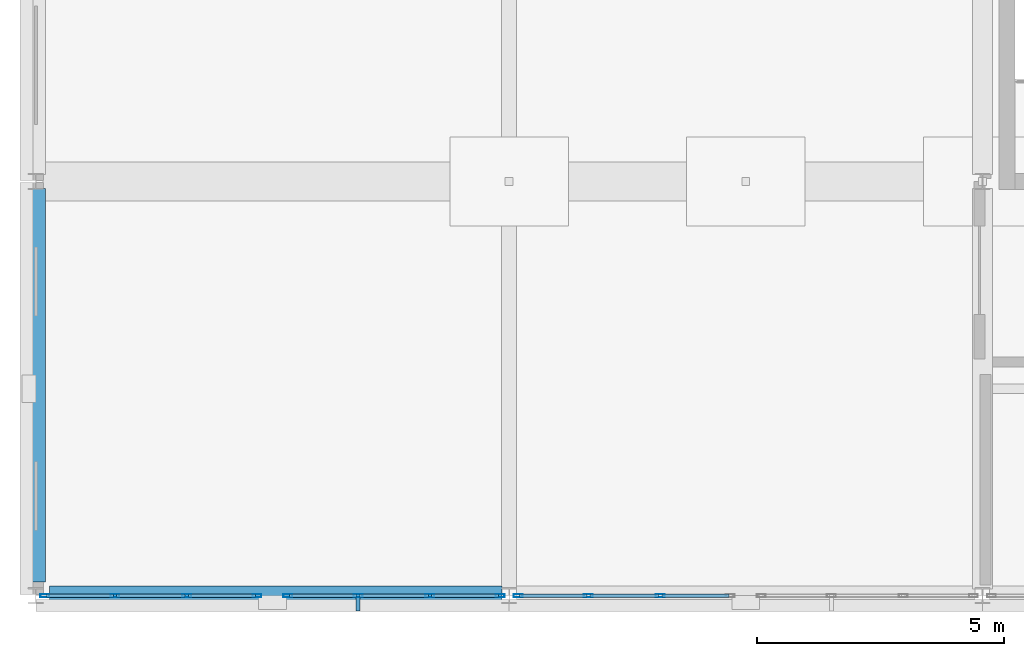
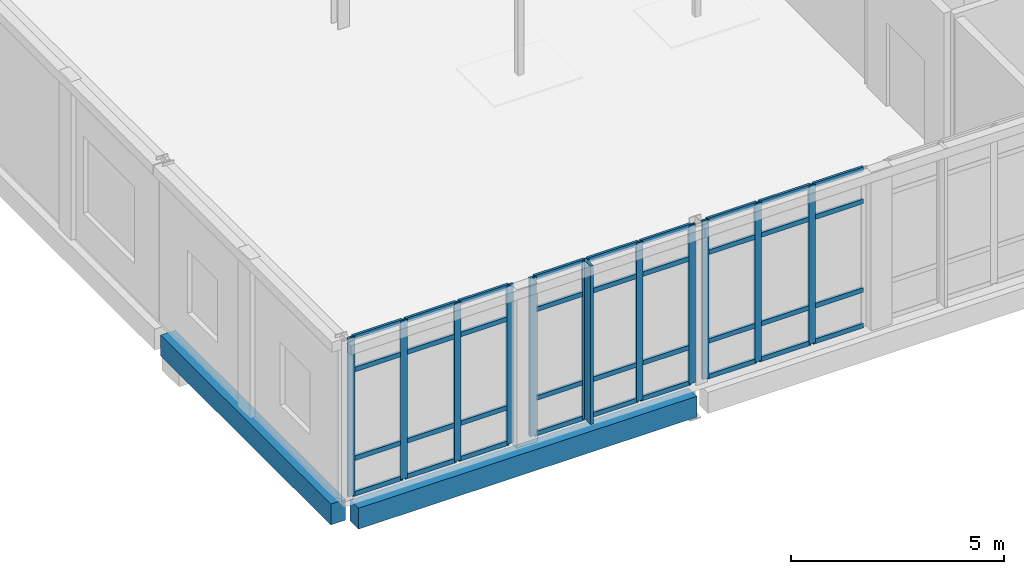
# One storey, part 7 of 88: 48 members, 2 beams, 3 elements without a shape of their own.
"""IFC4 building model written with IfcOpenShell, lengths in metres."""

import ifcopenshell
import ifcopenshell.guid

model = None  # the IFC model being written
_history = None  # IfcOwnerHistory: only IFC2X3 demands one
_inside = {}  # id of a spatial element -> (the spatial element, [elements in it])
_under = {}  # id of a project, library or spatial element -> (it, [spatial elements below it])
_declared = {}  # id of a project -> (the project, [libraries it declares])
_typed = {}  # id of a type object -> (the type object, [elements of that type])
_made_of = {}  # id of a material, layer set ... -> (it, [elements and type objects made of it])


def new_model(schema):
    """Start an empty IFC model of exactly this schema.

    Asked for "IFC4X3", IfcOpenShell would pick the latest addendum, in which some entities
    have other attributes; the version numbers below select the first issue.
    IFC2X3 requires an IfcOwnerHistory on every rooted entity: one is made here for all.
    """
    global model, _history
    if schema == "IFC4X3":
        model = ifcopenshell.file(schema_version=(4, 3, 0, 0))
    else:
        model = ifcopenshell.file(schema=schema)
    _inside.clear()
    _under.clear()
    _declared.clear()
    _typed.clear()
    _made_of.clear()
    _history = None
    if model.schema == "IFC2X3":
        org = make("IfcOrganization", Name="unknown")
        user = make(
            "IfcPersonAndOrganization",
            ThePerson=make("IfcPerson", FamilyName="unknown"),
            TheOrganization=org,
        )
        app = make(
            "IfcApplication",
            ApplicationDeveloper=org,
            Version="unknown",
            ApplicationFullName="unknown",
            ApplicationIdentifier="unknown",
        )
        _history = make(
            "IfcOwnerHistory",
            OwningUser=user,
            OwningApplication=app,
            ChangeAction="ADDED",
            CreationDate=0,
        )
    return model


def make(cls, **values):
    """One entity of the class cls with the attributes given. An attribute that is None is left unset."""
    return model.create_entity(
        cls, **{name: value for name, value in values.items() if value is not None}
    )


def rooted(cls, **values):
    """An entity with a GlobalId (a new one), such as an element, a storey or a relation."""
    return make(cls, GlobalId=ifcopenshell.guid.new(), OwnerHistory=_history, **values)


def si_unit(unit_type, name, prefix=None):
    """IfcSIUnit, for example si_unit("LENGTHUNIT", "METRE", prefix="MILLI")."""
    return make("IfcSIUnit", UnitType=unit_type, Prefix=prefix, Name=name)


def assignment(units):
    """IfcUnitAssignment: the units of a project."""
    return None if units is None else make("IfcUnitAssignment", Units=units)


def point(xyz):
    """IfcCartesianPoint."""
    return None if xyz is None else make("IfcCartesianPoint", Coordinates=xyz)


def direction(xyz):
    """IfcDirection."""
    return None if xyz is None else make("IfcDirection", DirectionRatios=xyz)


def frame(location, z_axis=None, x_axis=None):
    """IfcAxis2Placement3D, a coordinate frame: its origin and axes. An axis left out is left unset."""
    return make(
        "IfcAxis2Placement3D",
        Location=point(location),
        Axis=direction(z_axis),
        RefDirection=direction(x_axis),
    )


def frame_2d(location, x_axis=None):
    """IfcAxis2Placement2D, a coordinate frame in the plane: its origin and x axis."""
    return make(
        "IfcAxis2Placement2D", Location=point(location), RefDirection=direction(x_axis)
    )


def origin():
    """The frame at (0, 0, 0) with its axes left unset."""
    return frame((0.0, 0.0, 0.0))


def origin_2d():
    """The frame at (0, 0) in the plane with its x axis left unset."""
    return frame_2d((0.0, 0.0))


def place(relative_to, where):
    """IfcLocalPlacement: puts the frame where relative to a parent placement (None: the world)."""
    return make(
        "IfcLocalPlacement", PlacementRelTo=relative_to, RelativePlacement=where
    )


def context(
    kind, dimensions, precision=None, world=None, true_north=None, identifier=None
):
    """IfcGeometricRepresentationContext, for example the 3D "Model" context."""
    return make(
        "IfcGeometricRepresentationContext",
        ContextIdentifier=identifier,
        ContextType=kind,
        CoordinateSpaceDimension=dimensions,
        Precision=precision,
        WorldCoordinateSystem=world,
        TrueNorth=true_north,
    )


def subcontext(parent, identifier, kind, view, scale=None):
    """IfcGeometricRepresentationSubContext, for example "Body" below "Model"."""
    return make(
        "IfcGeometricRepresentationSubContext",
        ContextIdentifier=identifier,
        ContextType=kind,
        ParentContext=parent,
        TargetScale=scale,
        TargetView=view,
    )


def project(units=None, contexts=None):
    """IfcProject with its units and contexts."""
    return rooted(
        "IfcProject",
        Name="project",
        RepresentationContexts=contexts,
        UnitsInContext=assignment(units),
    )


def spatial(cls, under=None, at=None, **own):
    """A site, building, storey or space (cls), placed at a placement, below another one or the project."""
    s = rooted(cls, ObjectPlacement=at, **own)
    if under is not None:
        _under.setdefault(under.id(), (under, []))[1].append(s)
    return s


def profile(cls, at=None, kind="AREA", **sizes):
    """A parametric profile (cls). Its sizes go by their IFC names, for example OverallWidth=200.0."""
    return make(cls, ProfileType=kind, Position=at, **sizes)


def rectangle(**sizes):
    """IfcRectangleProfileDef."""
    return profile("IfcRectangleProfileDef", **sizes)


def hollow_rectangle(**sizes):
    """IfcRectangleHollowProfileDef."""
    return profile("IfcRectangleHollowProfileDef", **sizes)


def extrude(swept, where, along, depth):
    """IfcExtrudedAreaSolid: the profile swept, set in the frame where, extruded along a direction by depth."""
    return make(
        "IfcExtrudedAreaSolid",
        SweptArea=swept,
        Position=where,
        ExtrudedDirection=direction(along),
        Depth=depth,
    )


def shape(context_of_items, identifier, shape_type, items):
    """IfcShapeRepresentation: the items that make up one representation, for example the "Body"."""
    return make(
        "IfcShapeRepresentation",
        ContextOfItems=context_of_items,
        RepresentationIdentifier=identifier,
        RepresentationType=shape_type,
        Items=items,
    )


def material(Name=None, Category=None):
    """IfcMaterial."""
    return make("IfcMaterial", Name=Name, Category=Category)


def layer(
    of_material, thickness, ventilated=None, Name=None, Category=None, Priority=None
):
    """IfcMaterialLayer: one layer of a wall or slab, of a material (None: an air gap)."""
    return make(
        "IfcMaterialLayer",
        Material=of_material,
        LayerThickness=thickness,
        IsVentilated=ventilated,
        Name=Name,
        Category=Category,
        Priority=Priority,
    )


def layer_set(layers, Name=None):
    """IfcMaterialLayerSet."""
    return make("IfcMaterialLayerSet", MaterialLayers=layers, LayerSetName=Name)


def material_profile(
    of_material, cross_section, Name=None, Category=None, Priority=None
):
    """IfcMaterialProfile: a cross section and its material."""
    return make(
        "IfcMaterialProfile",
        Name=Name,
        Material=of_material,
        Profile=cross_section,
        Priority=Priority,
        Category=Category,
    )


def profile_set(profiles, Name=None, composite=None):
    """IfcMaterialProfileSet."""
    return make(
        "IfcMaterialProfileSet",
        Name=Name,
        MaterialProfiles=profiles,
        CompositeProfile=composite,
    )


def made_of(thing, what):
    """Note that an element or type object is made of a material, layer set ...; save() writes the relation."""
    if what is not None:
        _made_of.setdefault(what.id(), (what, []))[1].append(thing)
    return thing


def type_object(cls, material=None, **own):
    """A type object (cls), such as IfcWallType, which elements share."""
    return made_of(rooted(cls, **own), material)


def element(
    cls,
    number,
    at=None,
    inside=None,
    cuts=None,
    type_object=None,
    material=None,
    context=None,
    identifier="Body",
    shape_type=None,
    held_by="IfcProductDefinitionShape",
    body=None,
    shapes=None,
    **own,
):
    """One element of the class cls, such as IfcWall. Its Tag is "e" and its number.

    at: its placement. inside: the storey or other place that contains it. cuts: it is an
    opening in that element (IfcRelVoidsElement). A single representation is given by context,
    identifier, shape_type and body (its items); several are given by shapes. held_by: the class
    of the entity that holds the representations. save() writes the other relations.
    """
    e = rooted(cls, Tag="e%d" % number, ObjectPlacement=at, **own)
    if body is not None:
        shapes = [shape(context, identifier, shape_type, body)]
    if shapes is not None:
        e.Representation = make(held_by, Representations=shapes)
    if inside is not None:
        _inside.setdefault(inside.id(), (inside, []))[1].append(e)
    if cuts is not None:
        rooted(
            "IfcRelVoidsElement", RelatingBuildingElement=cuts, RelatedOpeningElement=e
        )
    if type_object is not None:
        _typed.setdefault(type_object.id(), (type_object, []))[1].append(e)
    return made_of(e, material)


def aggregate(whole, parts):
    """IfcRelAggregates: a whole, such as a stair, and the parts it consists of."""
    return rooted("IfcRelAggregates", RelatingObject=whole, RelatedObjects=parts)


def save(model, path):
    """Write the relations noted so far, then the file.

    IfcRelAggregates (storeys below a building ...), IfcRelContainedInSpatialStructure (elements
    in a storey), IfcRelDefinesByType, IfcRelAssociatesMaterial and IfcRelDeclares: one each for
    every whole, place, type object, material and project.
    """
    for whole, parts in _under.values():
        aggregate(whole, parts)
    for where, things in _inside.values():
        rooted(
            "IfcRelContainedInSpatialStructure",
            RelatedElements=things,
            RelatingStructure=where,
        )
    for kind, things in _typed.values():
        rooted("IfcRelDefinesByType", RelatedObjects=things, RelatingType=kind)
    for what, things in _made_of.values():
        rooted("IfcRelAssociatesMaterial", RelatedObjects=things, RelatingMaterial=what)
    for by, libraries in _declared.values():
        rooted("IfcRelDeclares", RelatingContext=by, RelatedDefinitions=libraries)
    model.write(path)


model = new_model("IFC4")

# Units and contexts
model_context = context("Model", 3, precision=1e-05, world=origin(), true_north=direction((0.0, 1.0)))
body_context = subcontext(model_context, "Body", "Model", "MODEL_VIEW")
ifc_project = project(units=[si_unit("LENGTHUNIT", "METRE"), si_unit("AREAUNIT", "SQUARE_METRE"), si_unit("VOLUMEUNIT", "CUBIC_METRE"), si_unit("PLANEANGLEUNIT", "RADIAN"), si_unit("MASSUNIT", "GRAM", prefix="KILO")], contexts=[model_context])

# Site, building, storey
site_placement = place(None, origin())
site = spatial("IfcSite", under=ifc_project, at=site_placement, CompositionType="ELEMENT")
building_placement = place(site_placement, origin())
building = spatial("IfcBuilding", under=site, at=building_placement, Name="Lornevale Opera House", CompositionType="ELEMENT")
storey_placement = place(building_placement, frame((0.0, 0.0, 10.199951171875)))
storey = spatial("IfcBuildingStorey", under=building, at=storey_placement, Name="L03", CompositionType="ELEMENT", Elevation=10.199951171875)

# Beams
ifc_material_1 = material(Name="Concrete 35 MPa (CSA A23.1 N)", Category="concrete")
ifc_material_profile_1 = material_profile(ifc_material_1, rectangle(XDim=0.39990234375, YDim=0.60009765625, at=origin_2d()), Name="RC400x600")
ifc_profile_set_1 = profile_set([ifc_material_profile_1], Name="Concrete 35 MPa (CSA A23.1 N)")
beam_type = type_object("IfcBeamType", Name="Concrete Spandrel Beam 400x600", PredefinedType="SPANDREL", material=ifc_profile_set_1)
beam_1_placement = place(storey_placement, frame((0.27490234375, 0.0, -0.579833984375), z_axis=(1.0, 0.0, 0.0), x_axis=(0.0, 1.0, 0.0)))
element("IfcBeam", 1, at=beam_1_placement, inside=storey, type_object=beam_type, Name="Concrete Spandrel Beam 400x600 2082", PredefinedType="SPANDREL", context=body_context, shape_type="SweptSolid", body=[
    extrude(rectangle(XDim=0.39990234375, YDim=0.60009765625, at=origin_2d()), origin(), (0.0, 0.0, 1.0), 9.177978515625),
])
beam_2_placement = place(storey_placement, frame((0.0, 0.27490234375, -0.579833984375), z_axis=(0.0, 1.0, 0.0), x_axis=(-1.0, 0.0, 0.0)))
element("IfcBeam", 2, at=beam_2_placement, inside=storey, type_object=beam_type, Name="Concrete Spandrel Beam 400x600 2226", PredefinedType="SPANDREL", context=body_context, shape_type="SweptSolid", body=[
    extrude(rectangle(XDim=0.39990234375, YDim=0.60009765625, at=origin_2d()), origin(), (0.0, 0.0, 1.0), 7.987548828125),
])

# Curtain wall, members
ifc_material_2 = material(Name="Anodized Oxide-Green Aluminium Framing", Category="aluminium")
ifc_layer = layer(ifc_material_2, 0.175048828125)
ifc_layer_set = layer_set([ifc_layer], Name="Anodized Oxide-Green Aluminium Framing")
curtain_wall_type = type_object("IfcCurtainWallType", Name="Chamber Cloister Curtain Wall M1700", PredefinedType="NOTDEFINED", material=ifc_layer_set)
curtain_wall_1_placement = place(storey_placement, origin())
curtain_wall_1 = element("IfcCurtainWall", 3, at=curtain_wall_1_placement, inside=storey, type_object=curtain_wall_type, Name="Chamber Cloister Curtain Wall M1700 CW-092", PredefinedType="NOTDEFINED")
ifc_material_profile_2 = material_profile(ifc_material_2, hollow_rectangle(XDim=0.06494140625, YDim=0.179931640625, WallThickness=0.0048828125, at=origin_2d()), Name="ALU65x180x5")
ifc_profile_set_2 = profile_set([ifc_material_profile_2], Name="Anodized Oxide-Green Aluminium Framing")
member_type_1 = type_object("IfcMemberType", Name="Curtain Wall Mullion 65x180", PredefinedType="MULLION", material=ifc_profile_set_2)
member_1_placement = place(storey_placement, frame((9.4169921875, 0.0, 0.0), z_axis=(0.0, 0.0, 1.0), x_axis=(0.0, -1.0, 0.0)))
member_1 = element("IfcMember", 4, at=member_1_placement, type_object=member_type_1, Name="Curtain Wall Mullion 65x180 CW1820", PredefinedType="MULLION", context=body_context, shape_type="SweptSolid", body=[
    extrude(hollow_rectangle(XDim=0.06494140625, YDim=0.179931640625, WallThickness=0.0048828125, at=origin_2d()), origin(), (0.0, 0.0, 1.0), 4.5400390625),
])
member_2_placement = place(storey_placement, frame((7.992919921875, 0.0, 0.0), z_axis=(0.0, 0.0, 1.0), x_axis=(0.0, -1.0, 0.0)))
member_2 = element("IfcMember", 5, at=member_2_placement, type_object=member_type_1, Name="Curtain Wall Mullion 65x180 CW1821", PredefinedType="MULLION", context=body_context, shape_type="SweptSolid", body=[
    extrude(hollow_rectangle(XDim=0.06494140625, YDim=0.179931640625, WallThickness=0.0048828125, at=origin_2d()), origin(), (0.0, 0.0, 1.0), 4.5400390625),
])
member_3_placement = place(storey_placement, frame((6.53662109375, 0.0, 0.0), z_axis=(0.0, 0.0, 1.0), x_axis=(0.0, -1.0, 0.0)))
member_3 = element("IfcMember", 6, at=member_3_placement, type_object=member_type_1, Name="Curtain Wall Mullion 65x180 CW1822", PredefinedType="MULLION", context=body_context, shape_type="SweptSolid", body=[
    extrude(hollow_rectangle(XDim=0.06494140625, YDim=0.179931640625, WallThickness=0.0048828125, at=origin_2d()), origin(), (0.0, 0.0, 1.0), 4.5400390625),
])
member_4_placement = place(storey_placement, frame((5.112548828125, 0.0, 0.0), z_axis=(0.0, 0.0, 1.0), x_axis=(0.0, -1.0, 0.0)))
member_4 = element("IfcMember", 7, at=member_4_placement, type_object=member_type_1, Name="Curtain Wall Mullion 65x180 CW1823", PredefinedType="MULLION", context=body_context, shape_type="SweptSolid", body=[
    extrude(hollow_rectangle(XDim=0.06494140625, YDim=0.179931640625, WallThickness=0.0048828125, at=origin_2d()), origin(), (0.0, 0.0, 1.0), 4.5400390625),
])

curtain_wall_2_placement = place(storey_placement, origin())
curtain_wall_2 = element("IfcCurtainWall", 8, at=curtain_wall_2_placement, inside=storey, type_object=curtain_wall_type, Name="Chamber Cloister Curtain Wall M1700 CW-093", PredefinedType="NOTDEFINED")
member_5_placement = place(storey_placement, frame((4.487548828125, 0.0, 0.0), z_axis=(0.0, 0.0, 1.0), x_axis=(0.0, -1.0, 0.0)))
member_5 = element("IfcMember", 9, at=member_5_placement, type_object=member_type_1, Name="Curtain Wall Mullion 65x180 CW1845", PredefinedType="MULLION", context=body_context, shape_type="SweptSolid", body=[
    extrude(hollow_rectangle(XDim=0.06494140625, YDim=0.179931640625, WallThickness=0.0048828125, at=origin_2d()), origin(), (0.0, 0.0, 1.0), 4.5400390625),
])
member_6_placement = place(storey_placement, frame((3.0634765625, 0.0, 0.0), z_axis=(0.0, 0.0, 1.0), x_axis=(0.0, -1.0, 0.0)))
member_6 = element("IfcMember", 10, at=member_6_placement, type_object=member_type_1, Name="Curtain Wall Mullion 65x180 CW1846", PredefinedType="MULLION", context=body_context, shape_type="SweptSolid", body=[
    extrude(hollow_rectangle(XDim=0.06494140625, YDim=0.179931640625, WallThickness=0.0048828125, at=origin_2d()), origin(), (0.0, 0.0, 1.0), 4.5400390625),
])
member_7_placement = place(storey_placement, frame((1.60693359375, 0.0, 0.0), z_axis=(0.0, 0.0, 1.0), x_axis=(0.0, -1.0, 0.0)))
member_7 = element("IfcMember", 11, at=member_7_placement, type_object=member_type_1, Name="Curtain Wall Mullion 65x180 CW1847", PredefinedType="MULLION", context=body_context, shape_type="SweptSolid", body=[
    extrude(hollow_rectangle(XDim=0.06494140625, YDim=0.179931640625, WallThickness=0.0048828125, at=origin_2d()), origin(), (0.0, 0.0, 1.0), 4.5400390625),
])
member_8_placement = place(storey_placement, frame((0.18310546875, 0.0, 0.0), z_axis=(0.0, 0.0, 1.0), x_axis=(0.0, -1.0, 0.0)))
member_8 = element("IfcMember", 12, at=member_8_placement, type_object=member_type_1, Name="Curtain Wall Mullion 65x180 CW1848", PredefinedType="MULLION", context=body_context, shape_type="SweptSolid", body=[
    extrude(hollow_rectangle(XDim=0.06494140625, YDim=0.179931640625, WallThickness=0.0048828125, at=origin_2d()), origin(), (0.0, 0.0, 1.0), 4.5400390625),
])

curtain_wall_3_placement = place(storey_placement, origin())
curtain_wall_3 = element("IfcCurtainWall", 13, at=curtain_wall_3_placement, inside=storey, type_object=curtain_wall_type, Name="Chamber Cloister Curtain Wall M1700 CW-101", PredefinedType="NOTDEFINED")
member_9_placement = place(storey_placement, frame((12.66357421875, 0.0, 0.0), z_axis=(0.0, 0.0, 1.0), x_axis=(0.0, -1.0, 0.0)))
member_9 = element("IfcMember", 14, at=member_9_placement, type_object=member_type_1, Name="Curtain Wall Mullion 65x180 CW2046", PredefinedType="MULLION", context=body_context, shape_type="SweptSolid", body=[
    extrude(hollow_rectangle(XDim=0.06494140625, YDim=0.179931640625, WallThickness=0.0048828125, at=origin_2d()), origin(), (0.0, 0.0, 1.0), 4.5400390625),
])
member_10_placement = place(storey_placement, frame((11.20703125, 0.0, 0.0), z_axis=(0.0, 0.0, 1.0), x_axis=(0.0, -1.0, 0.0)))
member_10 = element("IfcMember", 15, at=member_10_placement, type_object=member_type_1, Name="Curtain Wall Mullion 65x180 CW2047", PredefinedType="MULLION", context=body_context, shape_type="SweptSolid", body=[
    extrude(hollow_rectangle(XDim=0.06494140625, YDim=0.179931640625, WallThickness=0.0048828125, at=origin_2d()), origin(), (0.0, 0.0, 1.0), 4.5400390625),
])
member_11_placement = place(storey_placement, frame((9.782958984375, 0.0, 0.0), z_axis=(0.0, 0.0, 1.0), x_axis=(0.0, -1.0, 0.0)))
member_11 = element("IfcMember", 16, at=member_11_placement, type_object=member_type_1, Name="Curtain Wall Mullion 65x180 CW2048", PredefinedType="MULLION", context=body_context, shape_type="SweptSolid", body=[
    extrude(hollow_rectangle(XDim=0.06494140625, YDim=0.179931640625, WallThickness=0.0048828125, at=origin_2d()), origin(), (0.0, 0.0, 1.0), 4.5400390625),
])

# Member
ifc_material_profile_3 = material_profile(ifc_material_2, hollow_rectangle(XDim=0.06494140625, YDim=0.135009765625, WallThickness=0.00390625, at=origin_2d()), Name="ALU65x135x4")
ifc_profile_set_3 = profile_set([ifc_material_profile_3], Name="Anodized Oxide-Green Aluminium Framing")
member_type_2 = type_object("IfcMemberType", Name="Curtain Wall Transom 65x135", PredefinedType="USERDEFINED", material=ifc_profile_set_3)
member_12_placement = place(storey_placement, frame((9.384521484375, 0.0, 0.032470703125), z_axis=(-1.0, 0.0, 0.0), x_axis=(0.0, -1.0, 0.0)))
member_12 = element("IfcMember", 17, at=member_12_placement, type_object=member_type_2, Name="Curtain Wall Transom 65x135 CW1824", ObjectType="TRANSOM", PredefinedType="USERDEFINED", context=body_context, shape_type="SweptSolid", body=[
    extrude(hollow_rectangle(XDim=0.06494140625, YDim=0.135009765625, WallThickness=0.00390625, at=origin_2d()), origin(), (0.0, 0.0, 1.0), 1.359130859375),
])

member_13_placement = place(storey_placement, frame((9.384521484375, 0.0, 1.050048828125), z_axis=(-1.0, 0.0, 0.0), x_axis=(0.0, -1.0, 0.0)))
member_13 = element("IfcMember", 18, at=member_13_placement, type_object=member_type_2, Name="Curtain Wall Transom 65x135 CW1825", ObjectType="TRANSOM", PredefinedType="USERDEFINED", context=body_context, shape_type="SweptSolid", body=[
    extrude(hollow_rectangle(XDim=0.06494140625, YDim=0.135009765625, WallThickness=0.00390625, at=origin_2d()), origin(), (0.0, 0.0, 1.0), 1.359130859375),
])

member_14_placement = place(storey_placement, frame((9.384521484375, 0.0, 3.590087890625), z_axis=(-1.0, 0.0, 0.0), x_axis=(0.0, -1.0, 0.0)))
member_14 = element("IfcMember", 19, at=member_14_placement, type_object=member_type_2, Name="Curtain Wall Transom 65x135 CW1826", ObjectType="TRANSOM", PredefinedType="USERDEFINED", context=body_context, shape_type="SweptSolid", body=[
    extrude(hollow_rectangle(XDim=0.06494140625, YDim=0.135009765625, WallThickness=0.00390625, at=origin_2d()), origin(), (0.0, 0.0, 1.0), 1.359130859375),
])

member_15_placement = place(storey_placement, frame((9.384521484375, 0.0, 4.507568359375), z_axis=(-1.0, 0.0, 0.0), x_axis=(0.0, -1.0, 0.0)))
member_15 = element("IfcMember", 20, at=member_15_placement, type_object=member_type_2, Name="Curtain Wall Transom 65x135 CW1827", ObjectType="TRANSOM", PredefinedType="USERDEFINED", context=body_context, shape_type="SweptSolid", body=[
    extrude(hollow_rectangle(XDim=0.06494140625, YDim=0.135009765625, WallThickness=0.00390625, at=origin_2d()), origin(), (0.0, 0.0, 1.0), 1.359130859375),
])

member_16_placement = place(storey_placement, frame((7.96044921875, 0.0, 0.032470703125), z_axis=(-1.0, 0.0, 0.0), x_axis=(0.0, -1.0, 0.0)))
member_16 = element("IfcMember", 21, at=member_16_placement, type_object=member_type_2, Name="Curtain Wall Transom 65x135 CW1831", ObjectType="TRANSOM", PredefinedType="USERDEFINED", context=body_context, shape_type="SweptSolid", body=[
    extrude(hollow_rectangle(XDim=0.06494140625, YDim=0.135009765625, WallThickness=0.00390625, at=origin_2d()), origin(), (0.0, 0.0, 1.0), 1.391357421875),
])

member_17_placement = place(storey_placement, frame((7.96044921875, 0.0, 1.050048828125), z_axis=(-1.0, 0.0, 0.0), x_axis=(0.0, -1.0, 0.0)))
member_17 = element("IfcMember", 22, at=member_17_placement, type_object=member_type_2, Name="Curtain Wall Transom 65x135 CW1832", ObjectType="TRANSOM", PredefinedType="USERDEFINED", context=body_context, shape_type="SweptSolid", body=[
    extrude(hollow_rectangle(XDim=0.06494140625, YDim=0.135009765625, WallThickness=0.00390625, at=origin_2d()), origin(), (0.0, 0.0, 1.0), 1.391357421875),
])

member_18_placement = place(storey_placement, frame((7.96044921875, 0.0, 3.590087890625), z_axis=(-1.0, 0.0, 0.0), x_axis=(0.0, -1.0, 0.0)))
member_18 = element("IfcMember", 23, at=member_18_placement, type_object=member_type_2, Name="Curtain Wall Transom 65x135 CW1833", ObjectType="TRANSOM", PredefinedType="USERDEFINED", context=body_context, shape_type="SweptSolid", body=[
    extrude(hollow_rectangle(XDim=0.06494140625, YDim=0.135009765625, WallThickness=0.00390625, at=origin_2d()), origin(), (0.0, 0.0, 1.0), 1.391357421875),
])

member_19_placement = place(storey_placement, frame((7.96044921875, 0.0, 4.507568359375), z_axis=(-1.0, 0.0, 0.0), x_axis=(0.0, -1.0, 0.0)))
member_19 = element("IfcMember", 24, at=member_19_placement, type_object=member_type_2, Name="Curtain Wall Transom 65x135 CW1834", ObjectType="TRANSOM", PredefinedType="USERDEFINED", context=body_context, shape_type="SweptSolid", body=[
    extrude(hollow_rectangle(XDim=0.06494140625, YDim=0.135009765625, WallThickness=0.00390625, at=origin_2d()), origin(), (0.0, 0.0, 1.0), 1.391357421875),
])

member_20_placement = place(storey_placement, frame((6.50390625, 0.0, 0.032470703125), z_axis=(-1.0, 0.0, 0.0), x_axis=(0.0, -1.0, 0.0)))
member_20 = element("IfcMember", 25, at=member_20_placement, type_object=member_type_2, Name="Curtain Wall Transom 65x135 CW1838", ObjectType="TRANSOM", PredefinedType="USERDEFINED", context=body_context, shape_type="SweptSolid", body=[
    extrude(hollow_rectangle(XDim=0.06494140625, YDim=0.135009765625, WallThickness=0.00390625, at=origin_2d()), origin(), (0.0, 0.0, 1.0), 1.35888671875),
])

member_21_placement = place(storey_placement, frame((6.50390625, 0.0, 1.050048828125), z_axis=(-1.0, 0.0, 0.0), x_axis=(0.0, -1.0, 0.0)))
member_21 = element("IfcMember", 26, at=member_21_placement, type_object=member_type_2, Name="Curtain Wall Transom 65x135 CW1839", ObjectType="TRANSOM", PredefinedType="USERDEFINED", context=body_context, shape_type="SweptSolid", body=[
    extrude(hollow_rectangle(XDim=0.06494140625, YDim=0.135009765625, WallThickness=0.00390625, at=origin_2d()), origin(), (0.0, 0.0, 1.0), 1.35888671875),
])

member_22_placement = place(storey_placement, frame((6.50390625, 0.0, 3.590087890625), z_axis=(-1.0, 0.0, 0.0), x_axis=(0.0, -1.0, 0.0)))
member_22 = element("IfcMember", 27, at=member_22_placement, type_object=member_type_2, Name="Curtain Wall Transom 65x135 CW1840", ObjectType="TRANSOM", PredefinedType="USERDEFINED", context=body_context, shape_type="SweptSolid", body=[
    extrude(hollow_rectangle(XDim=0.06494140625, YDim=0.135009765625, WallThickness=0.00390625, at=origin_2d()), origin(), (0.0, 0.0, 1.0), 1.35888671875),
])

member_23_placement = place(storey_placement, frame((6.50390625, 0.0, 4.507568359375), z_axis=(-1.0, 0.0, 0.0), x_axis=(0.0, -1.0, 0.0)))
member_23 = element("IfcMember", 28, at=member_23_placement, type_object=member_type_2, Name="Curtain Wall Transom 65x135 CW1841", ObjectType="TRANSOM", PredefinedType="USERDEFINED", context=body_context, shape_type="SweptSolid", body=[
    extrude(hollow_rectangle(XDim=0.06494140625, YDim=0.135009765625, WallThickness=0.00390625, at=origin_2d()), origin(), (0.0, 0.0, 1.0), 1.35888671875),
])

member_24_placement = place(storey_placement, frame((4.455078125, 0.0, 0.032470703125), z_axis=(-1.0, 0.0, 0.0), x_axis=(0.0, -1.0, 0.0)))
member_24 = element("IfcMember", 29, at=member_24_placement, type_object=member_type_2, Name="Curtain Wall Transom 65x135 CW1849", ObjectType="TRANSOM", PredefinedType="USERDEFINED", context=body_context, shape_type="SweptSolid", body=[
    extrude(hollow_rectangle(XDim=0.06494140625, YDim=0.135009765625, WallThickness=0.00390625, at=origin_2d()), origin(), (0.0, 0.0, 1.0), 1.359130859375),
])

member_25_placement = place(storey_placement, frame((4.455078125, 0.0, 1.050048828125), z_axis=(-1.0, 0.0, 0.0), x_axis=(0.0, -1.0, 0.0)))
member_25 = element("IfcMember", 30, at=member_25_placement, type_object=member_type_2, Name="Curtain Wall Transom 65x135 CW1850", ObjectType="TRANSOM", PredefinedType="USERDEFINED", context=body_context, shape_type="SweptSolid", body=[
    extrude(hollow_rectangle(XDim=0.06494140625, YDim=0.135009765625, WallThickness=0.00390625, at=origin_2d()), origin(), (0.0, 0.0, 1.0), 1.359130859375),
])

member_26_placement = place(storey_placement, frame((4.455078125, 0.0, 3.590087890625), z_axis=(-1.0, 0.0, 0.0), x_axis=(0.0, -1.0, 0.0)))
member_26 = element("IfcMember", 31, at=member_26_placement, type_object=member_type_2, Name="Curtain Wall Transom 65x135 CW1851", ObjectType="TRANSOM", PredefinedType="USERDEFINED", context=body_context, shape_type="SweptSolid", body=[
    extrude(hollow_rectangle(XDim=0.06494140625, YDim=0.135009765625, WallThickness=0.00390625, at=origin_2d()), origin(), (0.0, 0.0, 1.0), 1.359130859375),
])

member_27_placement = place(storey_placement, frame((4.455078125, 0.0, 4.507568359375), z_axis=(-1.0, 0.0, 0.0), x_axis=(0.0, -1.0, 0.0)))
member_27 = element("IfcMember", 32, at=member_27_placement, type_object=member_type_2, Name="Curtain Wall Transom 65x135 CW1852", ObjectType="TRANSOM", PredefinedType="USERDEFINED", context=body_context, shape_type="SweptSolid", body=[
    extrude(hollow_rectangle(XDim=0.06494140625, YDim=0.135009765625, WallThickness=0.00390625, at=origin_2d()), origin(), (0.0, 0.0, 1.0), 1.359130859375),
])

member_28_placement = place(storey_placement, frame((3.031005859375, 0.0, 0.032470703125), z_axis=(-1.0, 0.0, 0.0), x_axis=(0.0, -1.0, 0.0)))
member_28 = element("IfcMember", 33, at=member_28_placement, type_object=member_type_2, Name="Curtain Wall Transom 65x135 CW1856", ObjectType="TRANSOM", PredefinedType="USERDEFINED", context=body_context, shape_type="SweptSolid", body=[
    extrude(hollow_rectangle(XDim=0.06494140625, YDim=0.135009765625, WallThickness=0.00390625, at=origin_2d()), origin(), (0.0, 0.0, 1.0), 1.3916015625),
])

member_29_placement = place(storey_placement, frame((3.031005859375, 0.0, 1.050048828125), z_axis=(-1.0, 0.0, 0.0), x_axis=(0.0, -1.0, 0.0)))
member_29 = element("IfcMember", 34, at=member_29_placement, type_object=member_type_2, Name="Curtain Wall Transom 65x135 CW1857", ObjectType="TRANSOM", PredefinedType="USERDEFINED", context=body_context, shape_type="SweptSolid", body=[
    extrude(hollow_rectangle(XDim=0.06494140625, YDim=0.135009765625, WallThickness=0.00390625, at=origin_2d()), origin(), (0.0, 0.0, 1.0), 1.3916015625),
])

member_30_placement = place(storey_placement, frame((3.031005859375, 0.0, 3.590087890625), z_axis=(-1.0, 0.0, 0.0), x_axis=(0.0, -1.0, 0.0)))
member_30 = element("IfcMember", 35, at=member_30_placement, type_object=member_type_2, Name="Curtain Wall Transom 65x135 CW1858", ObjectType="TRANSOM", PredefinedType="USERDEFINED", context=body_context, shape_type="SweptSolid", body=[
    extrude(hollow_rectangle(XDim=0.06494140625, YDim=0.135009765625, WallThickness=0.00390625, at=origin_2d()), origin(), (0.0, 0.0, 1.0), 1.3916015625),
])

member_31_placement = place(storey_placement, frame((3.031005859375, 0.0, 4.507568359375), z_axis=(-1.0, 0.0, 0.0), x_axis=(0.0, -1.0, 0.0)))
member_31 = element("IfcMember", 36, at=member_31_placement, type_object=member_type_2, Name="Curtain Wall Transom 65x135 CW1859", ObjectType="TRANSOM", PredefinedType="USERDEFINED", context=body_context, shape_type="SweptSolid", body=[
    extrude(hollow_rectangle(XDim=0.06494140625, YDim=0.135009765625, WallThickness=0.00390625, at=origin_2d()), origin(), (0.0, 0.0, 1.0), 1.3916015625),
])

member_32_placement = place(storey_placement, frame((1.574462890625, 0.0, 0.032470703125), z_axis=(-1.0, 0.0, 0.0), x_axis=(0.0, -1.0, 0.0)))
member_32 = element("IfcMember", 37, at=member_32_placement, type_object=member_type_2, Name="Curtain Wall Transom 65x135 CW1863", ObjectType="TRANSOM", PredefinedType="USERDEFINED", context=body_context, shape_type="SweptSolid", body=[
    extrude(hollow_rectangle(XDim=0.06494140625, YDim=0.135009765625, WallThickness=0.00390625, at=origin_2d()), origin(), (0.0, 0.0, 1.0), 1.35888671875),
])

member_33_placement = place(storey_placement, frame((1.574462890625, 0.0, 1.050048828125), z_axis=(-1.0, 0.0, 0.0), x_axis=(0.0, -1.0, 0.0)))
member_33 = element("IfcMember", 38, at=member_33_placement, type_object=member_type_2, Name="Curtain Wall Transom 65x135 CW1864", ObjectType="TRANSOM", PredefinedType="USERDEFINED", context=body_context, shape_type="SweptSolid", body=[
    extrude(hollow_rectangle(XDim=0.06494140625, YDim=0.135009765625, WallThickness=0.00390625, at=origin_2d()), origin(), (0.0, 0.0, 1.0), 1.35888671875),
])

member_34_placement = place(storey_placement, frame((1.574462890625, 0.0, 3.590087890625), z_axis=(-1.0, 0.0, 0.0), x_axis=(0.0, -1.0, 0.0)))
member_34 = element("IfcMember", 39, at=member_34_placement, type_object=member_type_2, Name="Curtain Wall Transom 65x135 CW1865", ObjectType="TRANSOM", PredefinedType="USERDEFINED", context=body_context, shape_type="SweptSolid", body=[
    extrude(hollow_rectangle(XDim=0.06494140625, YDim=0.135009765625, WallThickness=0.00390625, at=origin_2d()), origin(), (0.0, 0.0, 1.0), 1.35888671875),
])

member_35_placement = place(storey_placement, frame((1.574462890625, 0.0, 4.507568359375), z_axis=(-1.0, 0.0, 0.0), x_axis=(0.0, -1.0, 0.0)))
member_35 = element("IfcMember", 40, at=member_35_placement, type_object=member_type_2, Name="Curtain Wall Transom 65x135 CW1866", ObjectType="TRANSOM", PredefinedType="USERDEFINED", context=body_context, shape_type="SweptSolid", body=[
    extrude(hollow_rectangle(XDim=0.06494140625, YDim=0.135009765625, WallThickness=0.00390625, at=origin_2d()), origin(), (0.0, 0.0, 1.0), 1.35888671875),
])

aggregate(curtain_wall_2, [member_5, member_6, member_7, member_8, member_24, member_25, member_26, member_27, member_28, member_29, member_30, member_31, member_32, member_33, member_34, member_35])

member_36_placement = place(storey_placement, frame((14.054931640625, 0.0, 0.032470703125), z_axis=(-1.0, 0.0, 0.0), x_axis=(0.0, -1.0, 0.0)))
member_36 = element("IfcMember", 41, at=member_36_placement, type_object=member_type_2, Name="Curtain Wall Transom 65x135 CW2049", ObjectType="TRANSOM", PredefinedType="USERDEFINED", context=body_context, shape_type="SweptSolid", body=[
    extrude(hollow_rectangle(XDim=0.06494140625, YDim=0.135009765625, WallThickness=0.00390625, at=origin_2d()), origin(), (0.0, 0.0, 1.0), 1.35888671875),
])

member_37_placement = place(storey_placement, frame((14.054931640625, 0.0, 1.050048828125), z_axis=(-1.0, 0.0, 0.0), x_axis=(0.0, -1.0, 0.0)))
member_37 = element("IfcMember", 42, at=member_37_placement, type_object=member_type_2, Name="Curtain Wall Transom 65x135 CW2050", ObjectType="TRANSOM", PredefinedType="USERDEFINED", context=body_context, shape_type="SweptSolid", body=[
    extrude(hollow_rectangle(XDim=0.06494140625, YDim=0.135009765625, WallThickness=0.00390625, at=origin_2d()), origin(), (0.0, 0.0, 1.0), 1.35888671875),
])

member_38_placement = place(storey_placement, frame((14.054931640625, 0.0, 3.590087890625), z_axis=(-1.0, 0.0, 0.0), x_axis=(0.0, -1.0, 0.0)))
member_38 = element("IfcMember", 43, at=member_38_placement, type_object=member_type_2, Name="Curtain Wall Transom 65x135 CW2051", ObjectType="TRANSOM", PredefinedType="USERDEFINED", context=body_context, shape_type="SweptSolid", body=[
    extrude(hollow_rectangle(XDim=0.06494140625, YDim=0.135009765625, WallThickness=0.00390625, at=origin_2d()), origin(), (0.0, 0.0, 1.0), 1.35888671875),
])

member_39_placement = place(storey_placement, frame((14.054931640625, 0.0, 4.507568359375), z_axis=(-1.0, 0.0, 0.0), x_axis=(0.0, -1.0, 0.0)))
member_39 = element("IfcMember", 44, at=member_39_placement, type_object=member_type_2, Name="Curtain Wall Transom 65x135 CW2052", ObjectType="TRANSOM", PredefinedType="USERDEFINED", context=body_context, shape_type="SweptSolid", body=[
    extrude(hollow_rectangle(XDim=0.06494140625, YDim=0.135009765625, WallThickness=0.00390625, at=origin_2d()), origin(), (0.0, 0.0, 1.0), 1.35888671875),
])

member_40_placement = place(storey_placement, frame((12.631103515625, 0.0, 0.032470703125), z_axis=(-1.0, 0.0, 0.0), x_axis=(0.0, -1.0, 0.0)))
member_40 = element("IfcMember", 45, at=member_40_placement, type_object=member_type_2, Name="Curtain Wall Transom 65x135 CW2056", ObjectType="TRANSOM", PredefinedType="USERDEFINED", context=body_context, shape_type="SweptSolid", body=[
    extrude(hollow_rectangle(XDim=0.06494140625, YDim=0.135009765625, WallThickness=0.00390625, at=origin_2d()), origin(), (0.0, 0.0, 1.0), 1.3916015625),
])

member_41_placement = place(storey_placement, frame((12.631103515625, 0.0, 1.050048828125), z_axis=(-1.0, 0.0, 0.0), x_axis=(0.0, -1.0, 0.0)))
member_41 = element("IfcMember", 46, at=member_41_placement, type_object=member_type_2, Name="Curtain Wall Transom 65x135 CW2057", ObjectType="TRANSOM", PredefinedType="USERDEFINED", context=body_context, shape_type="SweptSolid", body=[
    extrude(hollow_rectangle(XDim=0.06494140625, YDim=0.135009765625, WallThickness=0.00390625, at=origin_2d()), origin(), (0.0, 0.0, 1.0), 1.3916015625),
])

member_42_placement = place(storey_placement, frame((12.631103515625, 0.0, 3.590087890625), z_axis=(-1.0, 0.0, 0.0), x_axis=(0.0, -1.0, 0.0)))
member_42 = element("IfcMember", 47, at=member_42_placement, type_object=member_type_2, Name="Curtain Wall Transom 65x135 CW2058", ObjectType="TRANSOM", PredefinedType="USERDEFINED", context=body_context, shape_type="SweptSolid", body=[
    extrude(hollow_rectangle(XDim=0.06494140625, YDim=0.135009765625, WallThickness=0.00390625, at=origin_2d()), origin(), (0.0, 0.0, 1.0), 1.3916015625),
])

member_43_placement = place(storey_placement, frame((12.631103515625, 0.0, 4.507568359375), z_axis=(-1.0, 0.0, 0.0), x_axis=(0.0, -1.0, 0.0)))
member_43 = element("IfcMember", 48, at=member_43_placement, type_object=member_type_2, Name="Curtain Wall Transom 65x135 CW2059", ObjectType="TRANSOM", PredefinedType="USERDEFINED", context=body_context, shape_type="SweptSolid", body=[
    extrude(hollow_rectangle(XDim=0.06494140625, YDim=0.135009765625, WallThickness=0.00390625, at=origin_2d()), origin(), (0.0, 0.0, 1.0), 1.3916015625),
])

member_44_placement = place(storey_placement, frame((11.174560546875, 0.0, 0.032470703125), z_axis=(-1.0, 0.0, 0.0), x_axis=(0.0, -1.0, 0.0)))
member_44 = element("IfcMember", 49, at=member_44_placement, type_object=member_type_2, Name="Curtain Wall Transom 65x135 CW2063", ObjectType="TRANSOM", PredefinedType="USERDEFINED", context=body_context, shape_type="SweptSolid", body=[
    extrude(hollow_rectangle(XDim=0.06494140625, YDim=0.135009765625, WallThickness=0.00390625, at=origin_2d()), origin(), (0.0, 0.0, 1.0), 1.359130859375),
])

member_45_placement = place(storey_placement, frame((11.174560546875, 0.0, 1.050048828125), z_axis=(-1.0, 0.0, 0.0), x_axis=(0.0, -1.0, 0.0)))
member_45 = element("IfcMember", 50, at=member_45_placement, type_object=member_type_2, Name="Curtain Wall Transom 65x135 CW2064", ObjectType="TRANSOM", PredefinedType="USERDEFINED", context=body_context, shape_type="SweptSolid", body=[
    extrude(hollow_rectangle(XDim=0.06494140625, YDim=0.135009765625, WallThickness=0.00390625, at=origin_2d()), origin(), (0.0, 0.0, 1.0), 1.359130859375),
])

member_46_placement = place(storey_placement, frame((11.174560546875, 0.0, 3.590087890625), z_axis=(-1.0, 0.0, 0.0), x_axis=(0.0, -1.0, 0.0)))
member_46 = element("IfcMember", 51, at=member_46_placement, type_object=member_type_2, Name="Curtain Wall Transom 65x135 CW2065", ObjectType="TRANSOM", PredefinedType="USERDEFINED", context=body_context, shape_type="SweptSolid", body=[
    extrude(hollow_rectangle(XDim=0.06494140625, YDim=0.135009765625, WallThickness=0.00390625, at=origin_2d()), origin(), (0.0, 0.0, 1.0), 1.359130859375),
])

member_47_placement = place(storey_placement, frame((11.174560546875, 0.0, 4.507568359375), z_axis=(-1.0, 0.0, 0.0), x_axis=(0.0, -1.0, 0.0)))
member_47 = element("IfcMember", 52, at=member_47_placement, type_object=member_type_2, Name="Curtain Wall Transom 65x135 CW2066", ObjectType="TRANSOM", PredefinedType="USERDEFINED", context=body_context, shape_type="SweptSolid", body=[
    extrude(hollow_rectangle(XDim=0.06494140625, YDim=0.135009765625, WallThickness=0.00390625, at=origin_2d()), origin(), (0.0, 0.0, 1.0), 1.359130859375),
])

aggregate(curtain_wall_3, [member_9, member_10, member_11, member_36, member_37, member_38, member_39, member_40, member_41, member_42, member_43, member_44, member_45, member_46, member_47])

ifc_material_3 = material(Name="Architectural Bronze Solar Louvre Alloy", Category="metal")
ifc_material_profile_4 = material_profile(ifc_material_3, rectangle(XDim=0.080078125, YDim=0.360107421875, at=origin_2d()), Name="FIN80x360")
ifc_profile_set_4 = profile_set([ifc_material_profile_4], Name="Architectural Bronze Solar Louvre Alloy")
member_type_3 = type_object("IfcMemberType", Name="Solar Shading Fin 80x360", PredefinedType="USERDEFINED", material=ifc_profile_set_4)
member_48_placement = place(storey_placement, frame((6.53662109375, -0.1259765625, 0.0), z_axis=(0.0, 0.0, 1.0), x_axis=(-1.0, 0.0, 0.0)))
member_48 = element("IfcMember", 53, at=member_48_placement, type_object=member_type_3, Name="Solar Shading Fin 80x360 FIN0041", ObjectType="SOLAR FIN", PredefinedType="USERDEFINED", context=body_context, shape_type="SweptSolid", body=[
    extrude(rectangle(XDim=0.080078125, YDim=0.360107421875, at=origin_2d()), origin(), (0.0, 0.0, 1.0), 4.5400390625),
])

aggregate(curtain_wall_1, [member_1, member_2, member_3, member_4, member_12, member_13, member_14, member_15, member_16, member_17, member_18, member_19, member_20, member_21, member_22, member_23, member_48])

save(model, "model.ifc")
